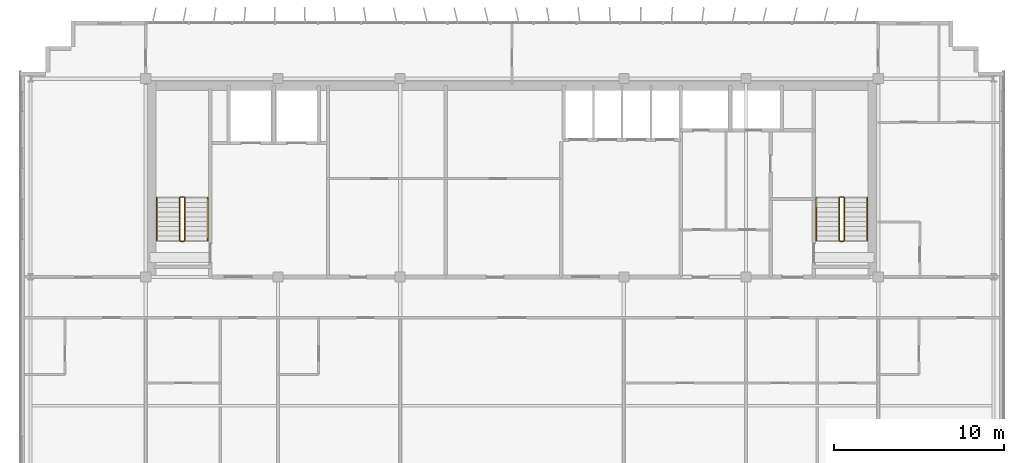
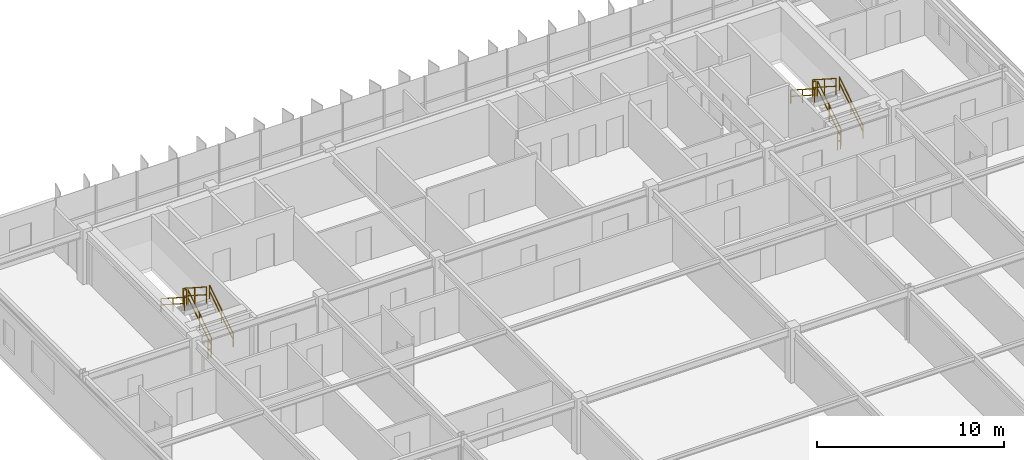
# One storey, part 22 of 22: 12 railings.
"""IFC4 building model written with IfcOpenShell, lengths in metres."""

import ifcopenshell
import ifcopenshell.guid

model = None  # the IFC model being written
_history = None  # IfcOwnerHistory: only IFC2X3 demands one
_inside = {}  # id of a spatial element -> (the spatial element, [elements in it])
_under = {}  # id of a project, library or spatial element -> (it, [spatial elements below it])
_declared = {}  # id of a project -> (the project, [libraries it declares])
_typed = {}  # id of a type object -> (the type object, [elements of that type])
_made_of = {}  # id of a material, layer set ... -> (it, [elements and type objects made of it])


def new_model(schema):
    """Start an empty IFC model of exactly this schema.

    Asked for "IFC4X3", IfcOpenShell would pick the latest addendum, in which some entities
    have other attributes; the version numbers below select the first issue.
    IFC2X3 requires an IfcOwnerHistory on every rooted entity: one is made here for all.
    """
    global model, _history
    if schema == "IFC4X3":
        model = ifcopenshell.file(schema_version=(4, 3, 0, 0))
    else:
        model = ifcopenshell.file(schema=schema)
    _inside.clear()
    _under.clear()
    _declared.clear()
    _typed.clear()
    _made_of.clear()
    _history = None
    if model.schema == "IFC2X3":
        org = make("IfcOrganization", Name="unknown")
        user = make(
            "IfcPersonAndOrganization",
            ThePerson=make("IfcPerson", FamilyName="unknown"),
            TheOrganization=org,
        )
        app = make(
            "IfcApplication",
            ApplicationDeveloper=org,
            Version="unknown",
            ApplicationFullName="unknown",
            ApplicationIdentifier="unknown",
        )
        _history = make(
            "IfcOwnerHistory",
            OwningUser=user,
            OwningApplication=app,
            ChangeAction="ADDED",
            CreationDate=0,
        )
    return model


def make(cls, **values):
    """One entity of the class cls with the attributes given. An attribute that is None is left unset."""
    return model.create_entity(
        cls, **{name: value for name, value in values.items() if value is not None}
    )


def rooted(cls, **values):
    """An entity with a GlobalId (a new one), such as an element, a storey or a relation."""
    return make(cls, GlobalId=ifcopenshell.guid.new(), OwnerHistory=_history, **values)


def si_unit(unit_type, name, prefix=None):
    """IfcSIUnit, for example si_unit("LENGTHUNIT", "METRE", prefix="MILLI")."""
    return make("IfcSIUnit", UnitType=unit_type, Prefix=prefix, Name=name)


def assignment(units):
    """IfcUnitAssignment: the units of a project."""
    return None if units is None else make("IfcUnitAssignment", Units=units)


def point(xyz):
    """IfcCartesianPoint."""
    return None if xyz is None else make("IfcCartesianPoint", Coordinates=xyz)


def direction(xyz):
    """IfcDirection."""
    return None if xyz is None else make("IfcDirection", DirectionRatios=xyz)


def frame(location, z_axis=None, x_axis=None):
    """IfcAxis2Placement3D, a coordinate frame: its origin and axes. An axis left out is left unset."""
    return make(
        "IfcAxis2Placement3D",
        Location=point(location),
        Axis=direction(z_axis),
        RefDirection=direction(x_axis),
    )


def frame_2d(location, x_axis=None):
    """IfcAxis2Placement2D, a coordinate frame in the plane: its origin and x axis."""
    return make(
        "IfcAxis2Placement2D", Location=point(location), RefDirection=direction(x_axis)
    )


def origin():
    """The frame at (0, 0, 0) with its axes left unset."""
    return frame((0.0, 0.0, 0.0))


def origin_2d():
    """The frame at (0, 0) in the plane with its x axis left unset."""
    return frame_2d((0.0, 0.0))


def place(relative_to, where):
    """IfcLocalPlacement: puts the frame where relative to a parent placement (None: the world)."""
    return make(
        "IfcLocalPlacement", PlacementRelTo=relative_to, RelativePlacement=where
    )


def context(
    kind, dimensions, precision=None, world=None, true_north=None, identifier=None
):
    """IfcGeometricRepresentationContext, for example the 3D "Model" context."""
    return make(
        "IfcGeometricRepresentationContext",
        ContextIdentifier=identifier,
        ContextType=kind,
        CoordinateSpaceDimension=dimensions,
        Precision=precision,
        WorldCoordinateSystem=world,
        TrueNorth=true_north,
    )


def subcontext(parent, identifier, kind, view, scale=None):
    """IfcGeometricRepresentationSubContext, for example "Body" below "Model"."""
    return make(
        "IfcGeometricRepresentationSubContext",
        ContextIdentifier=identifier,
        ContextType=kind,
        ParentContext=parent,
        TargetScale=scale,
        TargetView=view,
    )


def project(units=None, contexts=None):
    """IfcProject with its units and contexts."""
    return rooted(
        "IfcProject",
        Name="project",
        RepresentationContexts=contexts,
        UnitsInContext=assignment(units),
    )


def spatial(cls, under=None, at=None, **own):
    """A site, building, storey or space (cls), placed at a placement, below another one or the project."""
    s = rooted(cls, ObjectPlacement=at, **own)
    if under is not None:
        _under.setdefault(under.id(), (under, []))[1].append(s)
    return s


def profile(cls, at=None, kind="AREA", **sizes):
    """A parametric profile (cls). Its sizes go by their IFC names, for example OverallWidth=200.0."""
    return make(cls, ProfileType=kind, Position=at, **sizes)


def rectangle(**sizes):
    """IfcRectangleProfileDef."""
    return profile("IfcRectangleProfileDef", **sizes)


def extrude(swept, where, along, depth):
    """IfcExtrudedAreaSolid: the profile swept, set in the frame where, extruded along a direction by depth."""
    return make(
        "IfcExtrudedAreaSolid",
        SweptArea=swept,
        Position=where,
        ExtrudedDirection=direction(along),
        Depth=depth,
    )


def shape(context_of_items, identifier, shape_type, items):
    """IfcShapeRepresentation: the items that make up one representation, for example the "Body"."""
    return make(
        "IfcShapeRepresentation",
        ContextOfItems=context_of_items,
        RepresentationIdentifier=identifier,
        RepresentationType=shape_type,
        Items=items,
    )


def material(Name=None, Category=None):
    """IfcMaterial."""
    return make("IfcMaterial", Name=Name, Category=Category)


def made_of(thing, what):
    """Note that an element or type object is made of a material, layer set ...; save() writes the relation."""
    if what is not None:
        _made_of.setdefault(what.id(), (what, []))[1].append(thing)
    return thing


def type_object(cls, material=None, **own):
    """A type object (cls), such as IfcWallType, which elements share."""
    return made_of(rooted(cls, **own), material)


def element(
    cls,
    number,
    at=None,
    inside=None,
    cuts=None,
    type_object=None,
    material=None,
    context=None,
    identifier="Body",
    shape_type=None,
    held_by="IfcProductDefinitionShape",
    body=None,
    shapes=None,
    **own,
):
    """One element of the class cls, such as IfcWall. Its Tag is "e" and its number.

    at: its placement. inside: the storey or other place that contains it. cuts: it is an
    opening in that element (IfcRelVoidsElement). A single representation is given by context,
    identifier, shape_type and body (its items); several are given by shapes. held_by: the class
    of the entity that holds the representations. save() writes the other relations.
    """
    e = rooted(cls, Tag="e%d" % number, ObjectPlacement=at, **own)
    if body is not None:
        shapes = [shape(context, identifier, shape_type, body)]
    if shapes is not None:
        e.Representation = make(held_by, Representations=shapes)
    if inside is not None:
        _inside.setdefault(inside.id(), (inside, []))[1].append(e)
    if cuts is not None:
        rooted(
            "IfcRelVoidsElement", RelatingBuildingElement=cuts, RelatedOpeningElement=e
        )
    if type_object is not None:
        _typed.setdefault(type_object.id(), (type_object, []))[1].append(e)
    return made_of(e, material)


def aggregate(whole, parts):
    """IfcRelAggregates: a whole, such as a stair, and the parts it consists of."""
    return rooted("IfcRelAggregates", RelatingObject=whole, RelatedObjects=parts)


def save(model, path):
    """Write the relations noted so far, then the file.

    IfcRelAggregates (storeys below a building ...), IfcRelContainedInSpatialStructure (elements
    in a storey), IfcRelDefinesByType, IfcRelAssociatesMaterial and IfcRelDeclares: one each for
    every whole, place, type object, material and project.
    """
    for whole, parts in _under.values():
        aggregate(whole, parts)
    for where, things in _inside.values():
        rooted(
            "IfcRelContainedInSpatialStructure",
            RelatedElements=things,
            RelatingStructure=where,
        )
    for kind, things in _typed.values():
        rooted("IfcRelDefinesByType", RelatedObjects=things, RelatingType=kind)
    for what, things in _made_of.values():
        rooted("IfcRelAssociatesMaterial", RelatedObjects=things, RelatingMaterial=what)
    for by, libraries in _declared.values():
        rooted("IfcRelDeclares", RelatingContext=by, RelatedDefinitions=libraries)
    model.write(path)


model = new_model("IFC4")

# Units and contexts
model_context = context("Model", 3, precision=1e-05, world=origin(), true_north=direction((0.0, 1.0)))
body_context = subcontext(model_context, "Body", "Model", "MODEL_VIEW")
ifc_project = project(units=[si_unit("LENGTHUNIT", "METRE"), si_unit("AREAUNIT", "SQUARE_METRE"), si_unit("VOLUMEUNIT", "CUBIC_METRE"), si_unit("PLANEANGLEUNIT", "RADIAN"), si_unit("MASSUNIT", "GRAM", prefix="KILO")], contexts=[model_context])

# Site, building, storey
site_placement = place(None, origin())
site = spatial("IfcSite", under=ifc_project, at=site_placement, CompositionType="ELEMENT")
building_placement = place(site_placement, origin())
building = spatial("IfcBuilding", under=site, at=building_placement, Name="Trelvane Seafront Commons", CompositionType="ELEMENT")
storey_placement = place(building_placement, frame((0.0, 0.0, 273.89990234375)))
storey = spatial("IfcBuildingStorey", under=building, at=storey_placement, Name="L71", CompositionType="ELEMENT", Elevation=273.89990234375)

# Railings
ifc_material = material(Name="Stainless steel balustrade", Category="steel")
railing_type_1 = type_object("IfcRailingType", Name="ARCH-SRL-GUARD", PredefinedType="GUARDRAIL", material=ifc_material)
railing_1_placement = place(storey_placement, frame((17.89990234375, 35.550048828125, 0.18017578125)))
element("IfcRailing", 1, at=railing_1_placement, inside=storey, type_object=railing_type_1, Name="L71 ST-1 stair guard 1", PredefinedType="GUARDRAIL", context=body_context, shape_type="SweptSolid", body=[
    extrude(rectangle(XDim=0.048095703125, YDim=0.048095703125, at=origin_2d()), frame((0.0, 0.0, 1.076171875), z_axis=(0.0, 0.841199657755, 0.540724639528), x_axis=(-1.0, 0.0, 0.0)), (0.0, 0.0, 1.0), 2.995849609375),
    extrude(rectangle(XDim=0.048095703125, YDim=0.048095703125, at=origin_2d()), frame((0.0, 0.0, 0.572021484375), z_axis=(0.0, 0.841199657755, 0.540724639528), x_axis=(-1.0, 0.0, 0.0)), (0.0, 0.0, 1.0), 2.995849609375),
    extrude(rectangle(XDim=0.0419921875, YDim=0.0419921875, at=origin_2d()), origin(), (0.0, 0.0, 1.0), 1.076171875),
    extrude(rectangle(XDim=0.0419921875, YDim=0.0419921875, at=origin_2d()), frame((0.0, 1.260009765625, 0.81005859375)), (0.0, 0.0, 1.0), 1.076171875),
    extrude(rectangle(XDim=0.0419921875, YDim=0.0419921875, at=origin_2d()), frame((0.0, 2.52001953125, 1.619873046875)), (0.0, 0.0, 1.0), 1.076171875),
])
railing_2_placement = place(storey_placement, frame((17.85009765625, 38.1201171875, 1.800048828125)))
element("IfcRailing", 2, at=railing_2_placement, inside=storey, type_object=railing_type_1, Name="L71 ST-1 stair guard 2", PredefinedType="GUARDRAIL", context=body_context, shape_type="SweptSolid", body=[
    extrude(rectangle(XDim=0.048095703125, YDim=0.048095703125, at=origin_2d()), frame((0.0, 0.0, 1.076171875), z_axis=(-1.0, 0.0, 0.0), x_axis=(0.0, -1.0, 0.0)), (0.0, 0.0, 1.0), 0.2001953125),
    extrude(rectangle(XDim=0.048095703125, YDim=0.048095703125, at=origin_2d()), frame((0.0, 0.0, 0.572021484375), z_axis=(-1.0, 0.0, 0.0), x_axis=(0.0, -1.0, 0.0)), (0.0, 0.0, 1.0), 0.2001953125),
    extrude(rectangle(XDim=0.0419921875, YDim=0.0419921875, at=origin_2d()), origin(), (0.0, 0.0, 1.0), 1.076171875),
    extrude(rectangle(XDim=0.0419921875, YDim=0.0419921875, at=origin_2d()), frame((-0.2001953125, 0.0, 0.0)), (0.0, 0.0, 1.0), 1.076171875),
])
railing_3_placement = place(storey_placement, frame((17.60009765625, 38.070068359375, 1.97998046875)))
element("IfcRailing", 3, at=railing_3_placement, inside=storey, type_object=railing_type_1, Name="L71 ST-1 stair guard 3", PredefinedType="GUARDRAIL", context=body_context, shape_type="SweptSolid", body=[
    extrude(rectangle(XDim=0.048095703125, YDim=0.048095703125, at=origin_2d()), frame((0.0, 0.0, 1.076171875), z_axis=(0.0, -0.841162588446, 0.540782303519), x_axis=(1.0, 0.0, 0.0)), (0.0, 0.0, 1.0), 2.995849609375),
    extrude(rectangle(XDim=0.048095703125, YDim=0.048095703125, at=origin_2d()), frame((0.0, 0.0, 0.572021484375), z_axis=(0.0, -0.841162588446, 0.540782303519), x_axis=(1.0, 0.0, 0.0)), (0.0, 0.0, 1.0), 2.995849609375),
    extrude(rectangle(XDim=0.0419921875, YDim=0.0419921875, at=origin_2d()), origin(), (0.0, 0.0, 1.0), 1.076171875),
    extrude(rectangle(XDim=0.0419921875, YDim=0.0419921875, at=origin_2d()), frame((0.0, -1.260009765625, 0.81005859375)), (0.0, 0.0, 1.0), 1.076171875),
    extrude(rectangle(XDim=0.0419921875, YDim=0.0419921875, at=origin_2d()), frame((0.0, -2.52001953125, 1.6201171875)), (0.0, 0.0, 1.0), 1.076171875),
])
railing_4_placement = place(storey_placement, frame((17.85009765625, 35.5, 0.0)))
element("IfcRailing", 4, at=railing_4_placement, inside=storey, type_object=railing_type_1, Name="L71 ST-1 stair guard 4", PredefinedType="GUARDRAIL", context=body_context, shape_type="SweptSolid", body=[
    extrude(rectangle(XDim=0.048095703125, YDim=0.048095703125, at=origin_2d()), frame((0.0, 0.0, 1.076171875), z_axis=(-1.0, 0.0, 0.0), x_axis=(0.0, -1.0, 0.0)), (0.0, 0.0, 1.0), 0.2001953125),
    extrude(rectangle(XDim=0.048095703125, YDim=0.048095703125, at=origin_2d()), frame((0.0, 0.0, 0.572021484375), z_axis=(-1.0, 0.0, 0.0), x_axis=(0.0, -1.0, 0.0)), (0.0, 0.0, 1.0), 0.2001953125),
    extrude(rectangle(XDim=0.0419921875, YDim=0.0419921875, at=origin_2d()), origin(), (0.0, 0.0, 1.0), 1.076171875),
    extrude(rectangle(XDim=0.0419921875, YDim=0.0419921875, at=origin_2d()), frame((-0.2001953125, 0.0, 0.0)), (0.0, 0.0, 1.0), 1.076171875),
])
railing_5_placement = place(storey_placement, frame((56.800048828125, 35.550048828125, 0.18017578125)))
element("IfcRailing", 5, at=railing_5_placement, inside=storey, type_object=railing_type_1, Name="L71 ST-2 stair guard 1", PredefinedType="GUARDRAIL", context=body_context, shape_type="SweptSolid", body=[
    extrude(rectangle(XDim=0.048095703125, YDim=0.048095703125, at=origin_2d()), frame((0.0, 0.0, 1.076171875), z_axis=(0.0, 0.841199657755, 0.540724639528), x_axis=(-1.0, 0.0, 0.0)), (0.0, 0.0, 1.0), 2.995849609375),
    extrude(rectangle(XDim=0.048095703125, YDim=0.048095703125, at=origin_2d()), frame((0.0, 0.0, 0.572021484375), z_axis=(0.0, 0.841199657755, 0.540724639528), x_axis=(-1.0, 0.0, 0.0)), (0.0, 0.0, 1.0), 2.995849609375),
    extrude(rectangle(XDim=0.0419921875, YDim=0.0419921875, at=origin_2d()), origin(), (0.0, 0.0, 1.0), 1.076171875),
    extrude(rectangle(XDim=0.0419921875, YDim=0.0419921875, at=origin_2d()), frame((0.0, 1.260009765625, 0.81005859375)), (0.0, 0.0, 1.0), 1.076171875),
    extrude(rectangle(XDim=0.0419921875, YDim=0.0419921875, at=origin_2d()), frame((0.0, 2.52001953125, 1.619873046875)), (0.0, 0.0, 1.0), 1.076171875),
])
railing_6_placement = place(storey_placement, frame((56.75, 38.1201171875, 1.800048828125)))
element("IfcRailing", 6, at=railing_6_placement, inside=storey, type_object=railing_type_1, Name="L71 ST-2 stair guard 2", PredefinedType="GUARDRAIL", context=body_context, shape_type="SweptSolid", body=[
    extrude(rectangle(XDim=0.048095703125, YDim=0.048095703125, at=origin_2d()), frame((0.0, 0.0, 1.076171875), z_axis=(-1.0, 0.0, 0.0), x_axis=(0.0, -1.0, 0.0)), (0.0, 0.0, 1.0), 0.199951171875),
    extrude(rectangle(XDim=0.048095703125, YDim=0.048095703125, at=origin_2d()), frame((0.0, 0.0, 0.572021484375), z_axis=(-1.0, 0.0, 0.0), x_axis=(0.0, -1.0, 0.0)), (0.0, 0.0, 1.0), 0.199951171875),
    extrude(rectangle(XDim=0.0419921875, YDim=0.0419921875, at=origin_2d()), origin(), (0.0, 0.0, 1.0), 1.076171875),
    extrude(rectangle(XDim=0.0419921875, YDim=0.0419921875, at=origin_2d()), frame((-0.199951171875, 0.0, 0.0)), (0.0, 0.0, 1.0), 1.076171875),
])
railing_7_placement = place(storey_placement, frame((56.5, 38.070068359375, 1.97998046875)))
element("IfcRailing", 7, at=railing_7_placement, inside=storey, type_object=railing_type_1, Name="L71 ST-2 stair guard 3", PredefinedType="GUARDRAIL", context=body_context, shape_type="SweptSolid", body=[
    extrude(rectangle(XDim=0.048095703125, YDim=0.048095703125, at=origin_2d()), frame((0.0, 0.0, 1.076171875), z_axis=(0.0, -0.841162588446, 0.540782303519), x_axis=(1.0, 0.0, 0.0)), (0.0, 0.0, 1.0), 2.995849609375),
    extrude(rectangle(XDim=0.048095703125, YDim=0.048095703125, at=origin_2d()), frame((0.0, 0.0, 0.572021484375), z_axis=(0.0, -0.841162588446, 0.540782303519), x_axis=(1.0, 0.0, 0.0)), (0.0, 0.0, 1.0), 2.995849609375),
    extrude(rectangle(XDim=0.0419921875, YDim=0.0419921875, at=origin_2d()), origin(), (0.0, 0.0, 1.0), 1.076171875),
    extrude(rectangle(XDim=0.0419921875, YDim=0.0419921875, at=origin_2d()), frame((0.0, -1.260009765625, 0.81005859375)), (0.0, 0.0, 1.0), 1.076171875),
    extrude(rectangle(XDim=0.0419921875, YDim=0.0419921875, at=origin_2d()), frame((0.0, -2.52001953125, 1.6201171875)), (0.0, 0.0, 1.0), 1.076171875),
])
railing_8_placement = place(storey_placement, frame((56.75, 35.5, 0.0)))
element("IfcRailing", 8, at=railing_8_placement, inside=storey, type_object=railing_type_1, Name="L71 ST-2 stair guard 4", PredefinedType="GUARDRAIL", context=body_context, shape_type="SweptSolid", body=[
    extrude(rectangle(XDim=0.048095703125, YDim=0.048095703125, at=origin_2d()), frame((0.0, 0.0, 1.076171875), z_axis=(-1.0, 0.0, 0.0), x_axis=(0.0, -1.0, 0.0)), (0.0, 0.0, 1.0), 0.199951171875),
    extrude(rectangle(XDim=0.048095703125, YDim=0.048095703125, at=origin_2d()), frame((0.0, 0.0, 0.572021484375), z_axis=(-1.0, 0.0, 0.0), x_axis=(0.0, -1.0, 0.0)), (0.0, 0.0, 1.0), 0.199951171875),
    extrude(rectangle(XDim=0.0419921875, YDim=0.0419921875, at=origin_2d()), origin(), (0.0, 0.0, 1.0), 1.076171875),
    extrude(rectangle(XDim=0.0419921875, YDim=0.0419921875, at=origin_2d()), frame((-0.199951171875, 0.0, 0.0)), (0.0, 0.0, 1.0), 1.076171875),
])
railing_type_2 = type_object("IfcRailingType", Name="ARCH-SRL-HAND", PredefinedType="HANDRAIL", material=ifc_material)
railing_9_placement = place(storey_placement, frame((19.25, 35.550048828125, 0.18017578125)))
element("IfcRailing", 9, at=railing_9_placement, inside=storey, type_object=railing_type_2, Name="L71 ST-1 stair handrail 1", PredefinedType="HANDRAIL", context=body_context, shape_type="SweptSolid", body=[
    extrude(rectangle(XDim=0.048095703125, YDim=0.048095703125, at=origin_2d()), frame((0.0, 0.0, 0.8759765625), z_axis=(0.0, 0.841199657755, 0.540724639528), x_axis=(-1.0, 0.0, 0.0)), (0.0, 0.0, 1.0), 2.995849609375),
    extrude(rectangle(XDim=0.048095703125, YDim=0.048095703125, at=origin_2d()), frame((0.0, 0.0, 0.468017578125), z_axis=(0.0, 0.841199657755, 0.540724639528), x_axis=(-1.0, 0.0, 0.0)), (0.0, 0.0, 1.0), 2.995849609375),
    extrude(rectangle(XDim=0.0419921875, YDim=0.0419921875, at=origin_2d()), origin(), (0.0, 0.0, 1.0), 0.8759765625),
    extrude(rectangle(XDim=0.0419921875, YDim=0.0419921875, at=origin_2d()), frame((0.0, 1.260009765625, 0.81005859375)), (0.0, 0.0, 1.0), 0.8759765625),
    extrude(rectangle(XDim=0.0419921875, YDim=0.0419921875, at=origin_2d()), frame((0.0, 2.52001953125, 1.619873046875)), (0.0, 0.0, 1.0), 0.8759765625),
])
railing_10_placement = place(storey_placement, frame((16.25, 38.070068359375, 1.97998046875)))
element("IfcRailing", 10, at=railing_10_placement, inside=storey, type_object=railing_type_2, Name="L71 ST-1 stair handrail 2", PredefinedType="HANDRAIL", context=body_context, shape_type="SweptSolid", body=[
    extrude(rectangle(XDim=0.048095703125, YDim=0.048095703125, at=origin_2d()), frame((0.0, 0.0, 0.8759765625), z_axis=(0.0, -0.841162588446, 0.540782303519), x_axis=(1.0, 0.0, 0.0)), (0.0, 0.0, 1.0), 2.995849609375),
    extrude(rectangle(XDim=0.048095703125, YDim=0.048095703125, at=origin_2d()), frame((0.0, 0.0, 0.468017578125), z_axis=(0.0, -0.841162588446, 0.540782303519), x_axis=(1.0, 0.0, 0.0)), (0.0, 0.0, 1.0), 2.995849609375),
    extrude(rectangle(XDim=0.0419921875, YDim=0.0419921875, at=origin_2d()), origin(), (0.0, 0.0, 1.0), 0.8759765625),
    extrude(rectangle(XDim=0.0419921875, YDim=0.0419921875, at=origin_2d()), frame((0.0, -1.260009765625, 0.81005859375)), (0.0, 0.0, 1.0), 0.8759765625),
    extrude(rectangle(XDim=0.0419921875, YDim=0.0419921875, at=origin_2d()), frame((0.0, -2.52001953125, 1.6201171875)), (0.0, 0.0, 1.0), 0.8759765625),
])
railing_11_placement = place(storey_placement, frame((58.14990234375, 35.550048828125, 0.18017578125)))
element("IfcRailing", 11, at=railing_11_placement, inside=storey, type_object=railing_type_2, Name="L71 ST-2 stair handrail 1", PredefinedType="HANDRAIL", context=body_context, shape_type="SweptSolid", body=[
    extrude(rectangle(XDim=0.048095703125, YDim=0.048095703125, at=origin_2d()), frame((0.0, 0.0, 0.8759765625), z_axis=(0.0, 0.841199657755, 0.540724639528), x_axis=(-1.0, 0.0, 0.0)), (0.0, 0.0, 1.0), 2.995849609375),
    extrude(rectangle(XDim=0.048095703125, YDim=0.048095703125, at=origin_2d()), frame((0.0, 0.0, 0.468017578125), z_axis=(0.0, 0.841199657755, 0.540724639528), x_axis=(-1.0, 0.0, 0.0)), (0.0, 0.0, 1.0), 2.995849609375),
    extrude(rectangle(XDim=0.0419921875, YDim=0.0419921875, at=origin_2d()), origin(), (0.0, 0.0, 1.0), 0.8759765625),
    extrude(rectangle(XDim=0.0419921875, YDim=0.0419921875, at=origin_2d()), frame((0.0, 1.260009765625, 0.81005859375)), (0.0, 0.0, 1.0), 0.8759765625),
    extrude(rectangle(XDim=0.0419921875, YDim=0.0419921875, at=origin_2d()), frame((0.0, 2.52001953125, 1.619873046875)), (0.0, 0.0, 1.0), 0.8759765625),
])
railing_12_placement = place(storey_placement, frame((55.14990234375, 38.070068359375, 1.97998046875)))
element("IfcRailing", 12, at=railing_12_placement, inside=storey, type_object=railing_type_2, Name="L71 ST-2 stair handrail 2", PredefinedType="HANDRAIL", context=body_context, shape_type="SweptSolid", body=[
    extrude(rectangle(XDim=0.048095703125, YDim=0.048095703125, at=origin_2d()), frame((0.0, 0.0, 0.8759765625), z_axis=(0.0, -0.841162588446, 0.540782303519), x_axis=(1.0, 0.0, 0.0)), (0.0, 0.0, 1.0), 2.995849609375),
    extrude(rectangle(XDim=0.048095703125, YDim=0.048095703125, at=origin_2d()), frame((0.0, 0.0, 0.468017578125), z_axis=(0.0, -0.841162588446, 0.540782303519), x_axis=(1.0, 0.0, 0.0)), (0.0, 0.0, 1.0), 2.995849609375),
    extrude(rectangle(XDim=0.0419921875, YDim=0.0419921875, at=origin_2d()), origin(), (0.0, 0.0, 1.0), 0.8759765625),
    extrude(rectangle(XDim=0.0419921875, YDim=0.0419921875, at=origin_2d()), frame((0.0, -1.260009765625, 0.81005859375)), (0.0, 0.0, 1.0), 0.8759765625),
    extrude(rectangle(XDim=0.0419921875, YDim=0.0419921875, at=origin_2d()), frame((0.0, -2.52001953125, 1.6201171875)), (0.0, 0.0, 1.0), 0.8759765625),
])

save(model, "model.ifc")
